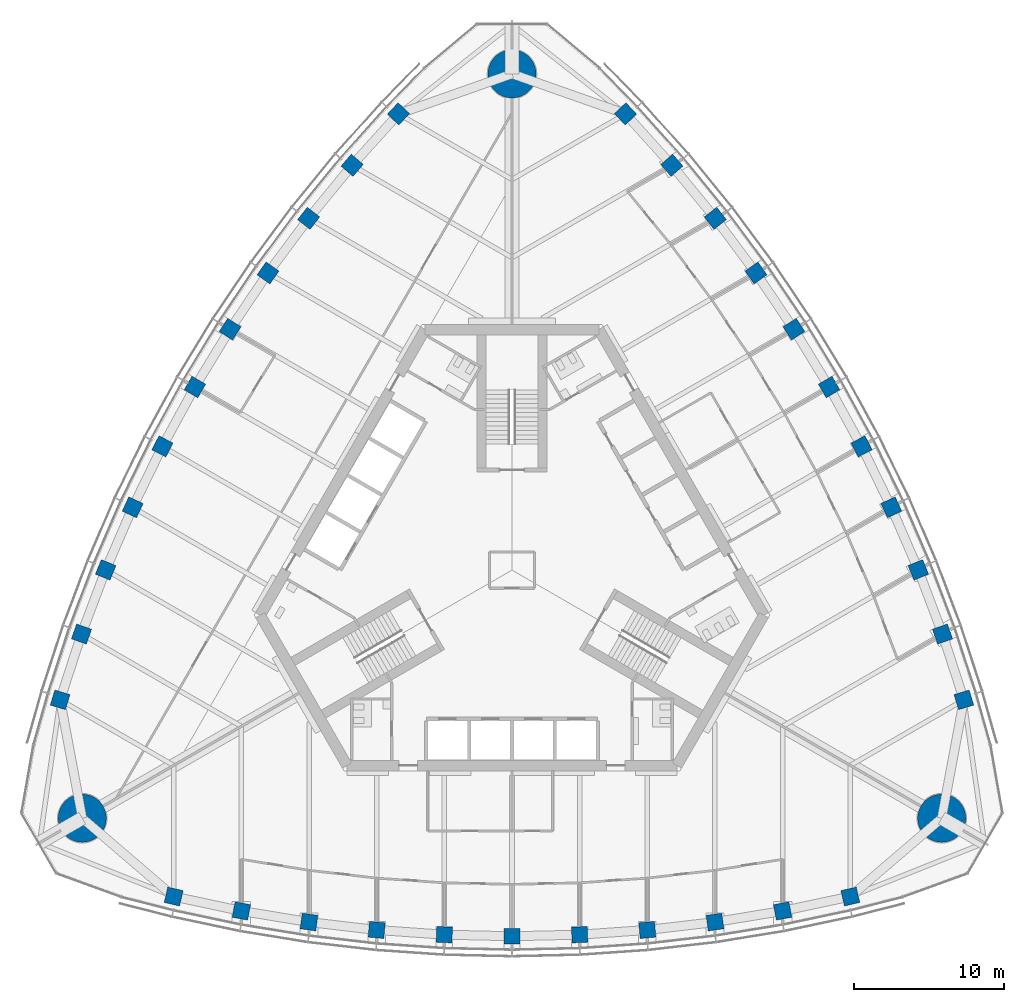
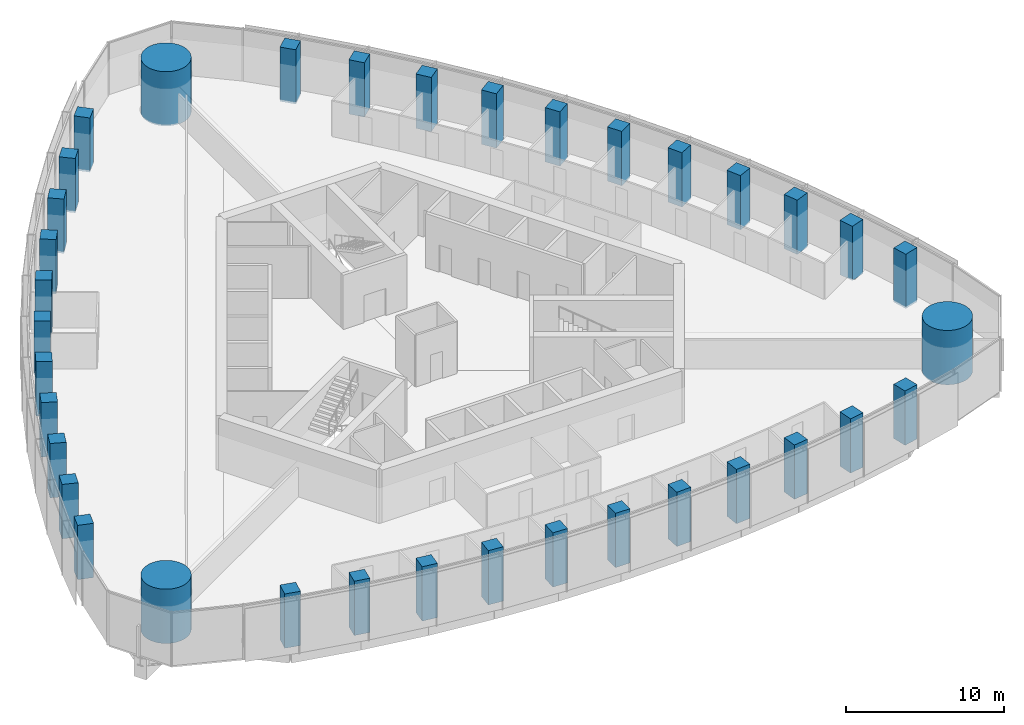
# One storey, part 1 of 20: 36 columns.
"""IFC4 building model written with IfcOpenShell, lengths in metres."""

from ifc_helpers import new_model, si_unit, direction, frame, origin, origin_2d, place, context, subcontext, project, spatial, rectangle, circle, extrude, material, material_profile, profile_set, type_object, element, save


model = new_model("IFC4")

# Units and contexts
model_context = context("Model", 3, precision=1e-05, world=origin(), true_north=direction((0.0, 1.0)))
body_context = subcontext(model_context, "Body", "Model", "MODEL_VIEW")
ifc_project = project(units=[si_unit("LENGTHUNIT", "METRE"), si_unit("AREAUNIT", "SQUARE_METRE"), si_unit("VOLUMEUNIT", "CUBIC_METRE"), si_unit("PLANEANGLEUNIT", "RADIAN"), si_unit("MASSUNIT", "GRAM", prefix="KILO")], contexts=[model_context])

# Site, building, storey
site_placement = place(None, origin())
site = spatial("IfcSite", under=ifc_project, at=site_placement, CompositionType="ELEMENT")
building_placement = place(site_placement, origin())
building = spatial("IfcBuilding", under=site, at=building_placement, Name="Trefoil Bronze Tower", CompositionType="ELEMENT")
storey_placement = place(building_placement, frame((0.0, 0.0, 231.699951171875)))
storey = spatial("IfcBuildingStorey", under=building, at=storey_placement, Name="L53", CompositionType="ELEMENT", Elevation=231.699951171875)

# Columns
ifc_material_1 = material(Name="Concrete B80", Category="concrete")
ifc_material_profile_1 = material_profile(ifc_material_1, circle(Radius=1.60009765625, at=origin_2d()), Name="RC D3200")
ifc_profile_set_1 = profile_set([ifc_material_profile_1], Name="Concrete B80")
column_type_1 = type_object("IfcColumnType", Name="Mega column RC D3200", PredefinedType="COLUMN", material=ifc_profile_set_1)
for number, where, z_axis, x_axis, name in (
    (1, (28.578857421875, -16.5, 0.0), (0.0, 0.0, 1.0), (1.0, 0.0, 0.0), "Mega column K1 L53"),
    (2, (0.0, 33.0, 0.0), (0.0, 0.0, 1.0), (1.0, 0.0, 0.0), "Mega column K2 L53"),
    (3, (-28.578857421875, -16.5, 0.0), (0.0, 0.0, 1.0), (1.0, 0.0, 0.0), "Mega column K3 L53"),
):
    element("IfcColumn", number, at=place(storey_placement, frame(where, z_axis=z_axis, x_axis=x_axis)), inside=storey, type_object=column_type_1, Name=name, PredefinedType="COLUMN", context=body_context, shape_type="SweptSolid", body=[
        extrude(circle(Radius=1.60009765625, at=origin_2d()), origin(), (0.0, 0.0, 1.0), 4.199951171875),
    ])
ifc_material_2 = material(Name="Concrete B80", Category="concrete")
ifc_material_profile_2 = material_profile(ifc_material_2, rectangle(XDim=1.050048828125, YDim=1.050048828125, at=origin_2d()), Name="RC 1050x1050")
ifc_profile_set_2 = profile_set([ifc_material_profile_2], Name="Concrete B80")
column_type_2 = type_object("IfcColumnType", Name="Tube column RC 1050x1050", PredefinedType="COLUMN", material=ifc_profile_set_2)
for number, where, z_axis, x_axis, name in (
    (4, (-22.5, -21.71044921875, 0.0), (0.0, 0.0, 1.0), (0.973875487093, -0.227082662569, 0.0), "Tube column F1/-5 L53"),
    (5, (-18.0, -22.6689453125, 0.0), (0.0, 0.0, 1.0), (0.982958917767, -0.183825368167, 0.0), "Tube column F1/-4 L53"),
    (6, (-13.5, -23.408447265625, 0.0), (0.0, 0.0, 1.0), (0.990450627582, -0.137867887204, 0.0), "Tube column F1/-3 L53"),
    (7, (-9.0, -23.932861328125, 0.0), (0.0, 0.0, 1.0), (0.995767189263, -0.091911396394, 0.0), "Tube column F1/-2 L53"),
    (8, (-4.5, -24.246337890625, 0.0), (0.0, 0.0, 1.0), (0.998943485952, -0.045955542372, 0.0), "Tube column F1/-1 L53"),
    (9, (0.0, -24.3505859375, 0.0), (0.0, 0.0, 1.0), (1.0, 0.0, 0.0), "Tube column F1/+0 L53"),
    (10, (4.5, -24.246337890625, 0.0), (0.0, 0.0, 1.0), (0.998943485952, 0.045955542372, 0.0), "Tube column F1/+1 L53"),
    (11, (9.0, -23.932861328125, 0.0), (0.0, 0.0, 1.0), (0.995767189263, 0.091911396394, 0.0), "Tube column F1/+2 L53"),
    (12, (13.5, -23.408447265625, 0.0), (0.0, 0.0, 1.0), (0.990450627582, 0.137867887204, 0.0), "Tube column F1/+3 L53"),
    (13, (18.0, -22.6689453125, 0.0), (0.0, 0.0, 1.0), (0.982958917767, 0.183825368167, 0.0), "Tube column F1/+4 L53"),
    (14, (22.5, -21.71044921875, 0.0), (0.0, 0.0, 1.0), (0.973875487093, 0.227082662569, 0.0), "Tube column F1/+5 L53"),
    (15, (30.052001953125, -8.63037109375, 0.0), (0.0, 0.0, 1.0), (-0.290278389002, 0.95694224323, 0.0), "Tube column F2/-5 L53"),
    (16, (28.632080078125, -4.25390625, 0.0), (0.0, 0.0, 1.0), (-0.332282020191, 0.943180077746, 0.0), "Tube column F2/-4 L53"),
    (17, (27.022216796875, 0.012939453125, 0.0), (0.0, 0.0, 1.0), (-0.375828221106, 0.926689348282, 0.0), "Tube column F2/-3 L53"),
    (18, (25.2265625, 4.17236328125, 0.0), (0.0, 0.0, 1.0), (-0.418285990457, 0.908315380354, 0.0), "Tube column F2/-2 L53"),
    (19, (23.248046875, 8.22607421875, 0.0), (0.0, 0.0, 1.0), (-0.459673075837, 0.888088206965, 0.0), "Tube column F2/-1 L53"),
    (20, (21.08837890625, 12.17529296875, 0.0), (0.0, 0.0, 1.0), (-0.5, 0.866025403784, 0.0), "Tube column F2/+0 L53"),
    (21, (18.748046875, 16.020263671875, 0.0), (0.0, 0.0, 1.0), (-0.539270410114, 0.842132664593, 0.0), "Tube column F2/+1 L53"),
    (22, (16.2265625, 19.7607421875, 0.0), (0.0, 0.0, 1.0), (-0.577481198806, 0.81640398396, 0.0), "Tube column F2/+2 L53"),
    (23, (13.522216796875, 23.3955078125, 0.0), (0.0, 0.0, 1.0), (-0.614622406476, 0.788821461078, 0.0), "Tube column F2/+3 L53"),
    (24, (10.632080078125, 26.923095703125, 0.0), (0.0, 0.0, 1.0), (-0.650676897576, 0.75935470958, 0.0), "Tube column F2/+4 L53"),
    (25, (7.552001953125, 30.3408203125, 0.0), (0.0, 0.0, 1.0), (-0.683597098091, 0.729859580661, 0.0), "Tube column F2/+5 L53"),
    (26, (-7.552001953125, 30.3408203125, 0.0), (0.0, 0.0, 1.0), (-0.683597098091, -0.729859580661, 0.0), "Tube column F3/-5 L53"),
    (27, (-10.632080078125, 26.923095703125, 0.0), (0.0, 0.0, 1.0), (-0.650676897576, -0.75935470958, 0.0), "Tube column F3/-4 L53"),
    (28, (-13.522216796875, 23.3955078125, 0.0), (0.0, 0.0, 1.0), (-0.614622406476, -0.788821461078, 0.0), "Tube column F3/-3 L53"),
    (29, (-16.2265625, 19.7607421875, 0.0), (0.0, 0.0, 1.0), (-0.577481198806, -0.81640398396, 0.0), "Tube column F3/-2 L53"),
    (30, (-18.748046875, 16.020263671875, 0.0), (0.0, 0.0, 1.0), (-0.539270410114, -0.842132664593, 0.0), "Tube column F3/-1 L53"),
    (31, (-21.08837890625, 12.17529296875, 0.0), (0.0, 0.0, 1.0), (-0.5, -0.866025403784, 0.0), "Tube column F3/+0 L53"),
    (32, (-23.248046875, 8.22607421875, 0.0), (0.0, 0.0, 1.0), (-0.459673075837, -0.888088206965, 0.0), "Tube column F3/+1 L53"),
    (33, (-25.2265625, 4.17236328125, 0.0), (0.0, 0.0, 1.0), (-0.418285990457, -0.908315380354, 0.0), "Tube column F3/+2 L53"),
    (34, (-27.022216796875, 0.012939453125, 0.0), (0.0, 0.0, 1.0), (-0.375828221106, -0.926689348282, 0.0), "Tube column F3/+3 L53"),
    (35, (-28.632080078125, -4.25390625, 0.0), (0.0, 0.0, 1.0), (-0.332282020191, -0.943180077746, 0.0), "Tube column F3/+4 L53"),
    (36, (-30.052001953125, -8.63037109375, 0.0), (0.0, 0.0, 1.0), (-0.290278389002, -0.95694224323, 0.0), "Tube column F3/+5 L53"),
):
    element("IfcColumn", number, at=place(storey_placement, frame(where, z_axis=z_axis, x_axis=x_axis)), inside=storey, type_object=column_type_2, Name=name, PredefinedType="COLUMN", context=body_context, shape_type="SweptSolid", body=[
        extrude(rectangle(XDim=1.050048828125, YDim=1.050048828125, at=origin_2d()), origin(), (0.0, 0.0, 1.0), 4.199951171875),
    ])

save(model, "model.ifc")
